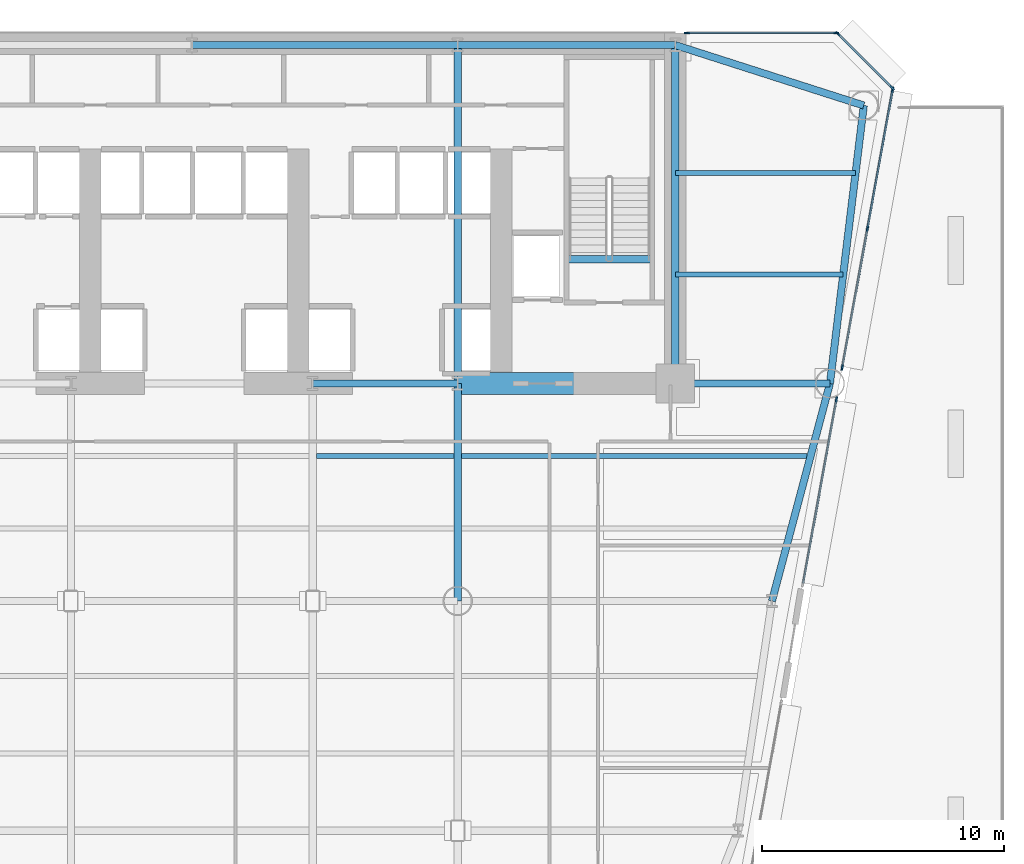
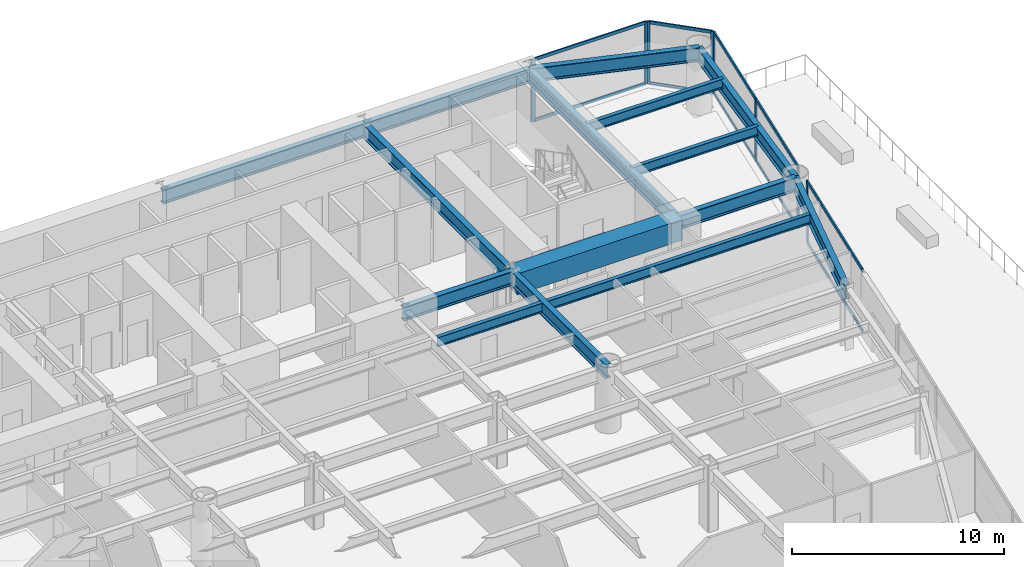
# One storey, part 6 of 14: 18 members, 16 beams, 4 elements without a shape of their own.
"""IFC4 building model written with IfcOpenShell, lengths in metres."""

from ifc_helpers import new_model, si_unit, direction, frame, origin, origin_2d, place, context, subcontext, project, spatial, rectangle, i_section, extrude, source, transform, mapped, material, layer, layer_set, material_profile, profile_set, type_object, element, aggregate, save


model = new_model("IFC4")

# Units and contexts
model_context = context("Model", 3, precision=1e-05, world=origin(), true_north=direction((0.0, 1.0)))
body_context = subcontext(model_context, "Body", "Model", "MODEL_VIEW")
ifc_project = project(units=[si_unit("LENGTHUNIT", "METRE"), si_unit("AREAUNIT", "SQUARE_METRE"), si_unit("VOLUMEUNIT", "CUBIC_METRE"), si_unit("PLANEANGLEUNIT", "RADIAN"), si_unit("MASSUNIT", "GRAM", prefix="KILO")], contexts=[model_context])

# Site, building, storey
site_placement = place(None, origin())
site = spatial("IfcSite", under=ifc_project, at=site_placement, CompositionType="ELEMENT")
building_placement = place(site_placement, origin())
building = spatial("IfcBuilding", under=site, at=building_placement, Name="Vaeldorn Concourse Tower", CompositionType="ELEMENT")
storey_placement = place(building_placement, frame((0.0, 0.0, 18.800048828125)))
storey = spatial("IfcBuildingStorey", under=building, at=storey_placement, Name="L04", CompositionType="ELEMENT", Elevation=18.800048828125)

# Beams
ifc_material_1 = material(Name="Concrete C60/75", Category="concrete")
ifc_material_profile_1 = material_profile(ifc_material_1, rectangle(XDim=0.89990234375, YDim=1.199951171875, at=origin_2d()), Name="RC 900x1200")
ifc_profile_set_1 = profile_set([ifc_material_profile_1], Name="Concrete C60/75")
beam_type_1 = type_object("IfcBeamType", Name="BM-CB-RC900", PredefinedType="BEAM", material=ifc_profile_set_1)
shared_shape_1 = source(origin(), body_context, "Body", "SweptSolid", [
    extrude(rectangle(XDim=0.89990234375, YDim=1.199951171875, at=origin_2d()), origin(), (0.0, 0.0, 1.0), 9.0),
])
beam_1_placement = place(storey_placement, frame((45.0, 36.5, 2.97998046875), z_axis=(1.0, 0.0, 0.0), x_axis=(0.0, 1.0, 0.0)))
element("IfcBeam", 1, at=beam_1_placement, inside=storey, type_object=beam_type_1, Name="Core Coupling Beam L04-2", PredefinedType="BEAM", context=body_context, shape_type="MappedRepresentation", body=[
    mapped(shared_shape_1, transform((0.0, 0.0, 0.0), scale=1.0)),
])
ifc_material_2 = material(Name="Steel S355", Category="steel")
ifc_material_profile_2 = material_profile(ifc_material_2, i_section(OverallWidth=0.300048828125, OverallDepth=0.340087890625, WebThickness=0.011962890625, FlangeThickness=0.021484375, FilletRadius=0.027099609375, at=origin_2d()), Name="HEB 340")
ifc_profile_set_2 = profile_set([ifc_material_profile_2], Name="Steel S355")
beam_type_2 = type_object("IfcBeamType", Name="BM-ST-TRIM", PredefinedType="BEAM", material=ifc_profile_set_2)
shared_shape_2 = source(origin(), body_context, "Body", "SweptSolid", [
    extrude(i_section(OverallWidth=0.300048828125, OverallDepth=0.340087890625, WebThickness=0.011962890625, FlangeThickness=0.021484375, FilletRadius=0.027099609375, at=origin_2d()), origin(), (0.0, 0.0, 1.0), 3.590087890625),
])
beam_2_placement = place(storey_placement, frame((49.47998046875, 41.639892578125, -0.449951171875), z_axis=(1.0, 0.0, 0.0), x_axis=(0.0, 1.0, 0.0)))
element("IfcBeam", 2, at=beam_2_placement, inside=storey, type_object=beam_type_2, Name="Stair Landing Trimmer Beam ST-2 L04", PredefinedType="BEAM", context=body_context, shape_type="MappedRepresentation", body=[
    mapped(shared_shape_2, transform((0.0, 0.0, 0.0), scale=1.0)),
])
ifc_material_profile_3 = material_profile(ifc_material_2, i_section(OverallWidth=0.300048828125, OverallDepth=0.800048828125, WebThickness=0.017578125, FlangeThickness=0.032958984375, FilletRadius=0.030029296875, at=origin_2d()), Name="HEB 800")
ifc_profile_set_3 = profile_set([ifc_material_profile_3], Name="Steel S355")
beam_type_3 = type_object("IfcBeamType", Name="BM-PG-HEB800", PredefinedType="BEAM", material=ifc_profile_set_3)
shared_shape_3 = source(origin(), body_context, "Body", "SweptSolid", [
    extrude(i_section(OverallWidth=0.300048828125, OverallDepth=0.800048828125, WebThickness=0.017578125, FlangeThickness=0.032958984375, FilletRadius=0.030029296875, at=origin_2d()), origin(), (0.0, 0.0, 1.0), 6.0),
])
beam_3_placement = place(storey_placement, frame((39.0, 36.5, 3.179931640625), z_axis=(1.0, 0.0, 0.0), x_axis=(0.0, 1.0, 0.0)))
element("IfcBeam", 3, at=beam_3_placement, inside=storey, type_object=beam_type_3, Name="Beam BM-L04-C-FC4-C-FC5", PredefinedType="BEAM", context=body_context, shape_type="MappedRepresentation", body=[
    mapped(shared_shape_3, transform((0.0, 0.0, 0.0), scale=1.0)),
])
shared_shape_4 = source(origin(), body_context, "Body", "SweptSolid", [
    extrude(i_section(OverallWidth=0.300048828125, OverallDepth=0.800048828125, WebThickness=0.017578125, FlangeThickness=0.032958984375, FilletRadius=0.030029296875, at=origin_2d()), origin(), (0.0, 0.0, 1.0), 9.0),
])
for number, where, z_axis, x_axis, name in (
    (4, (45.0, 50.5, 3.179931640625), (1.0, 0.0, 0.0), (0.0, 1.0, 0.0), "Beam BM-L04-C-HC4-C-HC5"),
    (5, (45.0, 27.5, 3.179931640625), (0.0, 1.0, 0.0), (-1.0, 0.0, 0.0), "Beam BM-L04-C-TW4-C-FC5"),
):
    element("IfcBeam", number, at=place(storey_placement, frame(where, z_axis=z_axis, x_axis=x_axis)), inside=storey, type_object=beam_type_3, Name=name, PredefinedType="BEAM", context=body_context, shape_type="MappedRepresentation", body=[
        mapped(shared_shape_4, transform((0.0, 0.0, 0.0), scale=1.0)),
    ])
shared_shape_5 = source(origin(), body_context, "Body", "SweptSolid", [
    extrude(i_section(OverallWidth=0.300048828125, OverallDepth=0.800048828125, WebThickness=0.017578125, FlangeThickness=0.032958984375, FilletRadius=0.030029296875, at=origin_2d()), origin(), (0.0, 0.0, 1.0), 11.0),
])
beam_4_placement = place(storey_placement, frame((34.0, 50.5, 3.179931640625), z_axis=(1.0, 0.0, 0.0), x_axis=(0.0, 1.0, 0.0)))
element("IfcBeam", 6, at=beam_4_placement, inside=storey, type_object=beam_type_3, Name="Beam BM-L04-C-HC3-C-HC4", PredefinedType="BEAM", context=body_context, shape_type="MappedRepresentation", body=[
    mapped(shared_shape_5, transform((0.0, 0.0, 0.0), scale=1.0)),
])
shared_shape_6 = source(origin(), body_context, "Body", "SweptSolid", [
    extrude(i_section(OverallWidth=0.300048828125, OverallDepth=0.800048828125, WebThickness=0.017578125, FlangeThickness=0.032958984375, FilletRadius=0.030029296875, at=origin_2d()), origin(), (0.0, 0.0, 1.0), 14.0),
])
for number, where, z_axis, x_axis, name in (
    (7, (45.0, 36.5, 3.179931640625), (0.0, 1.0, 0.0), (-1.0, 0.0, 0.0), "Beam BM-L04-C-FC5-C-HC4"),
    (8, (54.0, 36.5, 3.179931640625), (0.0, 1.0, 0.0), (-1.0, 0.0, 0.0), "Beam BM-L04-C-FC6-C-HC5"),
):
    element("IfcBeam", number, at=place(storey_placement, frame(where, z_axis=z_axis, x_axis=x_axis)), inside=storey, type_object=beam_type_3, Name=name, PredefinedType="BEAM", context=body_context, shape_type="MappedRepresentation", body=[
        mapped(shared_shape_6, transform((0.0, 0.0, 0.0), scale=1.0)),
    ])
shared_shape_7 = source(origin(), body_context, "Body", "SweptSolid", [
    extrude(i_section(OverallWidth=0.300048828125, OverallDepth=0.800048828125, WebThickness=0.017578125, FlangeThickness=0.032958984375, FilletRadius=0.030029296875, at=origin_2d()), origin(), (0.0, 0.0, 1.0), 8.19091796875),
])
beam_5_placement = place(storey_placement, frame((54.0, 50.5, 3.179931640625), z_axis=(0.952282843383, -0.305216949396, 0.0), x_axis=(0.305216949396, 0.952282843383, 0.0)))
element("IfcBeam", 9, at=beam_5_placement, inside=storey, type_object=beam_type_3, Name="Beam BM-L04-C-HC5-C-NE1", PredefinedType="BEAM", context=body_context, shape_type="MappedRepresentation", body=[
    mapped(shared_shape_7, transform((0.0, 0.0, 0.0), scale=1.0)),
])
shared_shape_8 = source(origin(), body_context, "Body", "SweptSolid", [
    extrude(i_section(OverallWidth=0.300048828125, OverallDepth=0.800048828125, WebThickness=0.017578125, FlangeThickness=0.032958984375, FilletRadius=0.030029296875, at=origin_2d()), origin(), (0.0, 0.0, 1.0), 11.5849609375),
])
beam_6_placement = place(storey_placement, frame((61.800048828125, 48.0, 3.179931640625), z_axis=(-0.120859382899, -0.992669637677, 0.0), x_axis=(0.992669637677, -0.120859382899, 0.0)))
element("IfcBeam", 10, at=beam_6_placement, inside=storey, type_object=beam_type_3, Name="Beam BM-L04-C-NE1-C-NE2", PredefinedType="BEAM", context=body_context, shape_type="MappedRepresentation", body=[
    mapped(shared_shape_8, transform((0.0, 0.0, 0.0), scale=1.0)),
])
shared_shape_9 = source(origin(), body_context, "Body", "SweptSolid", [
    extrude(i_section(OverallWidth=0.300048828125, OverallDepth=0.800048828125, WebThickness=0.017578125, FlangeThickness=0.032958984375, FilletRadius=0.030029296875, at=origin_2d()), origin(), (0.0, 0.0, 1.0), 6.39990234375),
])
beam_7_placement = place(storey_placement, frame((54.0, 36.5, 3.179931640625), z_axis=(1.0, 0.0, 0.0), x_axis=(0.0, 1.0, 0.0)))
element("IfcBeam", 11, at=beam_7_placement, inside=storey, type_object=beam_type_3, Name="Beam BM-L04-C-FC6-C-NE2", PredefinedType="BEAM", context=body_context, shape_type="MappedRepresentation", body=[
    mapped(shared_shape_9, transform((0.0, 0.0, 0.0), scale=1.0)),
])
shared_shape_10 = source(origin(), body_context, "Body", "SweptSolid", [
    extrude(i_section(OverallWidth=0.300048828125, OverallDepth=0.800048828125, WebThickness=0.017578125, FlangeThickness=0.032958984375, FilletRadius=0.030029296875, at=origin_2d()), origin(), (0.0, 0.0, 1.0), 9.314453125),
])
beam_8_placement = place(storey_placement, frame((60.39990234375, 36.5, 3.179931640625), z_axis=(-0.257652862255, -0.966237549763, 0.0), x_axis=(0.966237549763, -0.257652862255, 0.0)))
element("IfcBeam", 12, at=beam_8_placement, inside=storey, type_object=beam_type_3, Name="Beam BM-L04-C-NE2-C-FLE1", PredefinedType="BEAM", context=body_context, shape_type="MappedRepresentation", body=[
    mapped(shared_shape_10, transform((0.0, 0.0, 0.0), scale=1.0)),
])
ifc_material_profile_4 = material_profile(ifc_material_2, i_section(OverallWidth=0.2099609375, OverallDepth=0.550048828125, WebThickness=0.010986328125, FlangeThickness=0.01708984375, FilletRadius=0.02392578125, at=origin_2d()), Name="IPE 550")
ifc_profile_set_4 = profile_set([ifc_material_profile_4], Name="Steel S355")
beam_type_4 = type_object("IfcBeamType", Name="BM-JS-IPE550", PredefinedType="JOIST", material=ifc_profile_set_4)
shared_shape_11 = source(origin(), body_context, "Body", "SweptSolid", [
    extrude(i_section(OverallWidth=0.2099609375, OverallDepth=0.550048828125, WebThickness=0.010986328125, FlangeThickness=0.01708984375, FilletRadius=0.02392578125, at=origin_2d()), origin(), (0.0, 0.0, 1.0), 5.7001953125),
])
beam_9_placement = place(storey_placement, frame((39.14990234375, 33.5, 3.304931640625), z_axis=(1.0, 0.0, 0.0), x_axis=(0.0, 1.0, 0.0)))
element("IfcBeam", 13, at=beam_9_placement, inside=storey, type_object=beam_type_4, Name="Beam JS-L04-E2-335", PredefinedType="JOIST", context=body_context, shape_type="MappedRepresentation", body=[
    mapped(shared_shape_11, transform((0.0, 0.0, 0.0), scale=1.0)),
])
shared_shape_12 = source(origin(), body_context, "Body", "SweptSolid", [
    extrude(i_section(OverallWidth=0.2099609375, OverallDepth=0.550048828125, WebThickness=0.010986328125, FlangeThickness=0.01708984375, FilletRadius=0.02392578125, at=origin_2d()), origin(), (0.0, 0.0, 1.0), 14.300048828125),
])
beam_10_placement = place(storey_placement, frame((45.14990234375, 33.5, 3.304931640625), z_axis=(1.0, 0.0, 0.0), x_axis=(0.0, 1.0, 0.0)))
element("IfcBeam", 14, at=beam_10_placement, inside=storey, type_object=beam_type_4, Name="Beam JS-L04-E1-335", PredefinedType="JOIST", context=body_context, shape_type="MappedRepresentation", body=[
    mapped(shared_shape_12, transform((0.0, 0.0, 0.0), scale=1.0)),
])
shared_shape_13 = source(origin(), body_context, "Body", "SweptSolid", [
    extrude(i_section(OverallWidth=0.2099609375, OverallDepth=0.550048828125, WebThickness=0.010986328125, FlangeThickness=0.01708984375, FilletRadius=0.02392578125, at=origin_2d()), origin(), (0.0, 0.0, 1.0), 6.94775390625),
])
beam_11_placement = place(storey_placement, frame((54.0, 41.0, 3.304931640625), z_axis=(1.0, 0.0, 0.0), x_axis=(0.0, 1.0, 0.0)))
element("IfcBeam", 15, at=beam_11_placement, inside=storey, type_object=beam_type_4, Name="Beam JS-L04-NE-410", PredefinedType="JOIST", context=body_context, shape_type="MappedRepresentation", body=[
    mapped(shared_shape_13, transform((0.0, 0.0, 0.0), scale=1.0)),
])
shared_shape_14 = source(origin(), body_context, "Body", "SweptSolid", [
    extrude(i_section(OverallWidth=0.2099609375, OverallDepth=0.550048828125, WebThickness=0.010986328125, FlangeThickness=0.01708984375, FilletRadius=0.02392578125, at=origin_2d()), origin(), (0.0, 0.0, 1.0), 7.458984375),
])
beam_12_placement = place(storey_placement, frame((54.0, 45.199951171875, 3.304931640625), z_axis=(1.0, 0.0, 0.0), x_axis=(0.0, 1.0, 0.0)))
element("IfcBeam", 16, at=beam_12_placement, inside=storey, type_object=beam_type_4, Name="Beam JS-L04-NE-452", PredefinedType="JOIST", context=body_context, shape_type="MappedRepresentation", body=[
    mapped(shared_shape_14, transform((0.0, 0.0, 0.0), scale=1.0)),
])

# Curtain wall, member
ifc_material_3 = material(Name="Anodised Bronze Aluminium", Category="aluminium")
ifc_layer_1 = layer(ifc_material_3, 0.2099609375)
ifc_layer_set_1 = layer_set([ifc_layer_1], Name="Anodised Bronze Aluminium")
curtain_wall_type_1 = type_object("IfcCurtainWallType", Name="CW-SYS-06", PredefinedType="NOTDEFINED", material=ifc_layer_set_1)
curtain_wall_1_placement = place(storey_placement, origin())
curtain_wall_1 = element("IfcCurtainWall", 17, at=curtain_wall_1_placement, inside=storey, type_object=curtain_wall_type_1, Name="Unitised Curtain Wall CW-L04-E07-2", PredefinedType="NOTDEFINED")
ifc_material_profile_5 = material_profile(ifc_material_3, rectangle(XDim=0.074951171875, YDim=0.219970703125, at=origin_2d()), Name="CWM 75x220")
ifc_profile_set_5 = profile_set([ifc_material_profile_5], Name="Anodised Bronze Aluminium")
member_type_1 = type_object("IfcMemberType", Name="CWM-BRONZE-220", PredefinedType="MULLION", material=ifc_profile_set_5)
shared_shape_15 = source(origin(), body_context, "Body", "SweptSolid", [
    extrude(rectangle(XDim=0.074951171875, YDim=0.219970703125, at=origin_2d()), origin(), (0.0, 0.0, 1.0), 3.579833984375),
])
member_1_placement = place(storey_placement, frame((60.66845703125, 35.843505859375, 0.0), z_axis=(0.0, 0.0, 1.0), x_axis=(-0.983950207117, 0.178443240034, 0.0)))
member_1 = element("IfcMember", 18, at=member_1_placement, type_object=member_type_1, Name="CW-06 mullion 2", PredefinedType="MULLION", context=body_context, shape_type="MappedRepresentation", body=[
    mapped(shared_shape_15, transform((0.0, 0.0, 0.0), scale=1.0)),
])

# Curtain wall, members
curtain_wall_2_placement = place(storey_placement, origin())
curtain_wall_2 = element("IfcCurtainWall", 19, at=curtain_wall_2_placement, inside=storey, type_object=curtain_wall_type_1, Name="Unitised Curtain Wall CW-L04-E07-3", PredefinedType="NOTDEFINED")
member_2_placement = place(storey_placement, frame((60.906494140625, 37.156494140625, 0.0), z_axis=(0.0, 0.0, 1.0), x_axis=(-0.983949747964, 0.178445771823, 0.0)))
member_2 = element("IfcMember", 20, at=member_2_placement, type_object=member_type_1, Name="CW-06 mullion 1", PredefinedType="MULLION", context=body_context, shape_type="MappedRepresentation", body=[
    mapped(shared_shape_15, transform((0.0, 0.0, 0.0), scale=1.0)),
])
member_3_placement = place(storey_placement, frame((61.949951171875, 42.90966796875, 0.0), z_axis=(0.0, 0.0, 1.0), x_axis=(-0.983949747964, 0.178445771823, 0.0)))
member_3 = element("IfcMember", 21, at=member_3_placement, type_object=member_type_1, Name="CW-06 mullion 2", PredefinedType="MULLION", context=body_context, shape_type="MappedRepresentation", body=[
    mapped(shared_shape_15, transform((0.0, 0.0, 0.0), scale=1.0)),
])
member_4_placement = place(storey_placement, frame((62.993408203125, 48.6630859375, 0.0), z_axis=(0.0, 0.0, 1.0), x_axis=(-0.983949747964, 0.178445771823, 0.0)))
member_4 = element("IfcMember", 22, at=member_4_placement, type_object=member_type_1, Name="CW-06 mullion 3", PredefinedType="MULLION", context=body_context, shape_type="MappedRepresentation", body=[
    mapped(shared_shape_15, transform((0.0, 0.0, 0.0), scale=1.0)),
])

ifc_layer_2 = layer(ifc_material_3, 0.219970703125)
ifc_layer_set_2 = layer_set([ifc_layer_2], Name="Anodised Bronze Aluminium")
curtain_wall_type_2 = type_object("IfcCurtainWallType", Name="CW-SYS-01", PredefinedType="NOTDEFINED", material=ifc_layer_set_2)
curtain_wall_3_placement = place(storey_placement, origin())
curtain_wall_3 = element("IfcCurtainWall", 23, at=curtain_wall_3_placement, inside=storey, type_object=curtain_wall_type_2, Name="Unitised Curtain Wall CW-L04-E08-1", PredefinedType="NOTDEFINED")
member_5_placement = place(storey_placement, frame((62.973388671875, 48.7265625, 0.0), z_axis=(0.0, 0.0, 1.0), x_axis=(-0.707106781187, -0.707106781187, 0.0)))
member_5 = element("IfcMember", 24, at=member_5_placement, type_object=member_type_1, Name="CW-01 mullion 1", PredefinedType="MULLION", context=body_context, shape_type="MappedRepresentation", body=[
    mapped(shared_shape_15, transform((0.0, 0.0, 0.0), scale=1.0)),
])
member_6_placement = place(storey_placement, frame((60.7265625, 50.973388671875, 0.0), z_axis=(0.0, 0.0, 1.0), x_axis=(-0.707106781187, -0.707106781187, 0.0)))
member_6 = element("IfcMember", 25, at=member_6_placement, type_object=member_type_1, Name="CW-01 mullion 2", PredefinedType="MULLION", context=body_context, shape_type="MappedRepresentation", body=[
    mapped(shared_shape_15, transform((0.0, 0.0, 0.0), scale=1.0)),
])

curtain_wall_4_placement = place(storey_placement, origin())
curtain_wall_4 = element("IfcCurtainWall", 26, at=curtain_wall_4_placement, inside=storey, type_object=curtain_wall_type_2, Name="Unitised Curtain Wall CW-L04-E09-1", PredefinedType="NOTDEFINED")
member_7_placement = place(storey_placement, frame((60.66259765625, 51.0, 0.0), z_axis=(0.0, 0.0, 1.0), x_axis=(0.0, -1.0, 0.0)))
member_7 = element("IfcMember", 27, at=member_7_placement, type_object=member_type_1, Name="CW-01 mullion 1", PredefinedType="MULLION", context=body_context, shape_type="MappedRepresentation", body=[
    mapped(shared_shape_15, transform((0.0, 0.0, 0.0), scale=1.0)),
])
member_8_placement = place(storey_placement, frame((54.482421875, 51.0, 0.0), z_axis=(0.0, 0.0, 1.0), x_axis=(0.0, -1.0, 0.0)))
member_8 = element("IfcMember", 28, at=member_8_placement, type_object=member_type_1, Name="CW-01 mullion 2", PredefinedType="MULLION", context=body_context, shape_type="MappedRepresentation", body=[
    mapped(shared_shape_15, transform((0.0, 0.0, 0.0), scale=1.0)),
])

# Member
ifc_material_profile_6 = material_profile(ifc_material_3, rectangle(XDim=0.074951171875, YDim=0.179931640625, at=origin_2d()), Name="CWT 75x180")
ifc_profile_set_6 = profile_set([ifc_material_profile_6], Name="Anodised Bronze Aluminium")
member_type_2 = type_object("IfcMemberType", Name="CWT-BRONZE-180", PredefinedType="USERDEFINED", material=ifc_profile_set_6)
shared_shape_16 = source(origin(), body_context, "Body", "SweptSolid", [
    extrude(rectangle(XDim=0.074951171875, YDim=0.179931640625, at=origin_2d()), origin(), (0.0, 0.0, 1.0), 7.691162109375),
])
member_9_placement = place(storey_placement, frame((59.289306640625, 28.239013671875, 0.037353515625), z_axis=(0.178430090593, 0.983952591729, 0.0), x_axis=(-0.983952591729, 0.178430090593, 0.0)))
member_9 = element("IfcMember", 29, at=member_9_placement, type_object=member_type_2, Name="CW-06 transom 1.1", ObjectType="TRANSOM", PredefinedType="USERDEFINED", context=body_context, shape_type="MappedRepresentation", body=[
    mapped(shared_shape_16, transform((0.0, 0.0, 0.0), scale=1.0)),
])

member_10_placement = place(storey_placement, frame((59.289306640625, 28.239013671875, 3.54248046875), z_axis=(0.178430090593, 0.983952591729, 0.0), x_axis=(-0.983952591729, 0.178430090593, 0.0)))
member_10 = element("IfcMember", 30, at=member_10_placement, type_object=member_type_2, Name="CW-06 transom 1.2", ObjectType="TRANSOM", PredefinedType="USERDEFINED", context=body_context, shape_type="MappedRepresentation", body=[
    mapped(shared_shape_16, transform((0.0, 0.0, 0.0), scale=1.0)),
])

aggregate(curtain_wall_1, [member_1, member_9, member_10])

shared_shape_17 = source(origin(), body_context, "Body", "SweptSolid", [
    extrude(rectangle(XDim=0.074951171875, YDim=0.179931640625, at=origin_2d()), origin(), (0.0, 0.0, 1.0), 5.77197265625),
])
member_11_placement = place(storey_placement, frame((60.9130859375, 37.193359375, 0.037353515625), z_axis=(0.178449933472, 0.983948993212, 0.0), x_axis=(-0.983948993212, 0.178449933472, 0.0)))
member_11 = element("IfcMember", 31, at=member_11_placement, type_object=member_type_2, Name="CW-06 transom 1.1", ObjectType="TRANSOM", PredefinedType="USERDEFINED", context=body_context, shape_type="MappedRepresentation", body=[
    mapped(shared_shape_17, transform((0.0, 0.0, 0.0), scale=1.0)),
])

member_12_placement = place(storey_placement, frame((60.9130859375, 37.193359375, 3.54248046875), z_axis=(0.178449933472, 0.983948993212, 0.0), x_axis=(-0.983948993212, 0.178449933472, 0.0)))
member_12 = element("IfcMember", 32, at=member_12_placement, type_object=member_type_2, Name="CW-06 transom 1.2", ObjectType="TRANSOM", PredefinedType="USERDEFINED", context=body_context, shape_type="MappedRepresentation", body=[
    mapped(shared_shape_17, transform((0.0, 0.0, 0.0), scale=1.0)),
])

shared_shape_18 = source(origin(), body_context, "Body", "SweptSolid", [
    extrude(rectangle(XDim=0.074951171875, YDim=0.179931640625, at=origin_2d()), origin(), (0.0, 0.0, 1.0), 5.772216796875),
])
member_13_placement = place(storey_placement, frame((61.95654296875, 42.946533203125, 0.037353515625), z_axis=(0.178442507077, 0.983950340042, 0.0), x_axis=(-0.983950340042, 0.178442507077, 0.0)))
member_13 = element("IfcMember", 33, at=member_13_placement, type_object=member_type_2, Name="CW-06 transom 2.1", ObjectType="TRANSOM", PredefinedType="USERDEFINED", context=body_context, shape_type="MappedRepresentation", body=[
    mapped(shared_shape_18, transform((0.0, 0.0, 0.0), scale=1.0)),
])

member_14_placement = place(storey_placement, frame((61.95654296875, 42.946533203125, 3.54248046875), z_axis=(0.178442507077, 0.983950340042, 0.0), x_axis=(-0.983950340042, 0.178442507077, 0.0)))
member_14 = element("IfcMember", 34, at=member_14_placement, type_object=member_type_2, Name="CW-06 transom 2.2", ObjectType="TRANSOM", PredefinedType="USERDEFINED", context=body_context, shape_type="MappedRepresentation", body=[
    mapped(shared_shape_18, transform((0.0, 0.0, 0.0), scale=1.0)),
])

aggregate(curtain_wall_2, [member_2, member_3, member_4, member_11, member_12, member_13, member_14])

shared_shape_19 = source(origin(), body_context, "Body", "SweptSolid", [
    extrude(rectangle(XDim=0.074951171875, YDim=0.179931640625, at=origin_2d()), origin(), (0.0, 0.0, 1.0), 3.10302734375),
])
member_15_placement = place(storey_placement, frame((62.947021484375, 48.7529296875, 0.037353515625), z_axis=(-0.707106781187, 0.707106781187, 0.0), x_axis=(-0.707106781187, -0.707106781187, 0.0)))
member_15 = element("IfcMember", 35, at=member_15_placement, type_object=member_type_2, Name="CW-01 transom 1.1", ObjectType="TRANSOM", PredefinedType="USERDEFINED", context=body_context, shape_type="MappedRepresentation", body=[
    mapped(shared_shape_19, transform((0.0, 0.0, 0.0), scale=1.0)),
])

member_16_placement = place(storey_placement, frame((62.947021484375, 48.7529296875, 3.54248046875), z_axis=(-0.707106781187, 0.707106781187, 0.0), x_axis=(-0.707106781187, -0.707106781187, 0.0)))
member_16 = element("IfcMember", 36, at=member_16_placement, type_object=member_type_2, Name="CW-01 transom 1.2", ObjectType="TRANSOM", PredefinedType="USERDEFINED", context=body_context, shape_type="MappedRepresentation", body=[
    mapped(shared_shape_19, transform((0.0, 0.0, 0.0), scale=1.0)),
])

aggregate(curtain_wall_3, [member_5, member_6, member_15, member_16])

shared_shape_20 = source(origin(), body_context, "Body", "SweptSolid", [
    extrude(rectangle(XDim=0.074951171875, YDim=0.179931640625, at=origin_2d()), origin(), (0.0, 0.0, 1.0), 6.10498046875),
])
member_17_placement = place(storey_placement, frame((60.625, 51.0, 0.037353515625), z_axis=(-1.0, 0.0, 0.0), x_axis=(0.0, -1.0, 0.0)))
member_17 = element("IfcMember", 37, at=member_17_placement, type_object=member_type_2, Name="CW-01 transom 1.1", ObjectType="TRANSOM", PredefinedType="USERDEFINED", context=body_context, shape_type="MappedRepresentation", body=[
    mapped(shared_shape_20, transform((0.0, 0.0, 0.0), scale=1.0)),
])

member_18_placement = place(storey_placement, frame((60.625, 51.0, 3.54248046875), z_axis=(-1.0, 0.0, 0.0), x_axis=(0.0, -1.0, 0.0)))
member_18 = element("IfcMember", 38, at=member_18_placement, type_object=member_type_2, Name="CW-01 transom 1.2", ObjectType="TRANSOM", PredefinedType="USERDEFINED", context=body_context, shape_type="MappedRepresentation", body=[
    mapped(shared_shape_20, transform((0.0, 0.0, 0.0), scale=1.0)),
])

aggregate(curtain_wall_4, [member_7, member_8, member_17, member_18])

save(model, "model.ifc")
